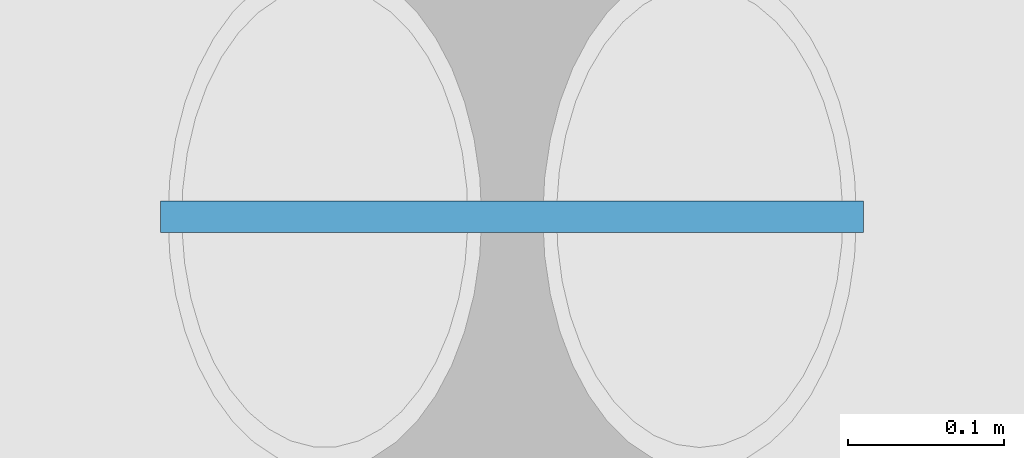
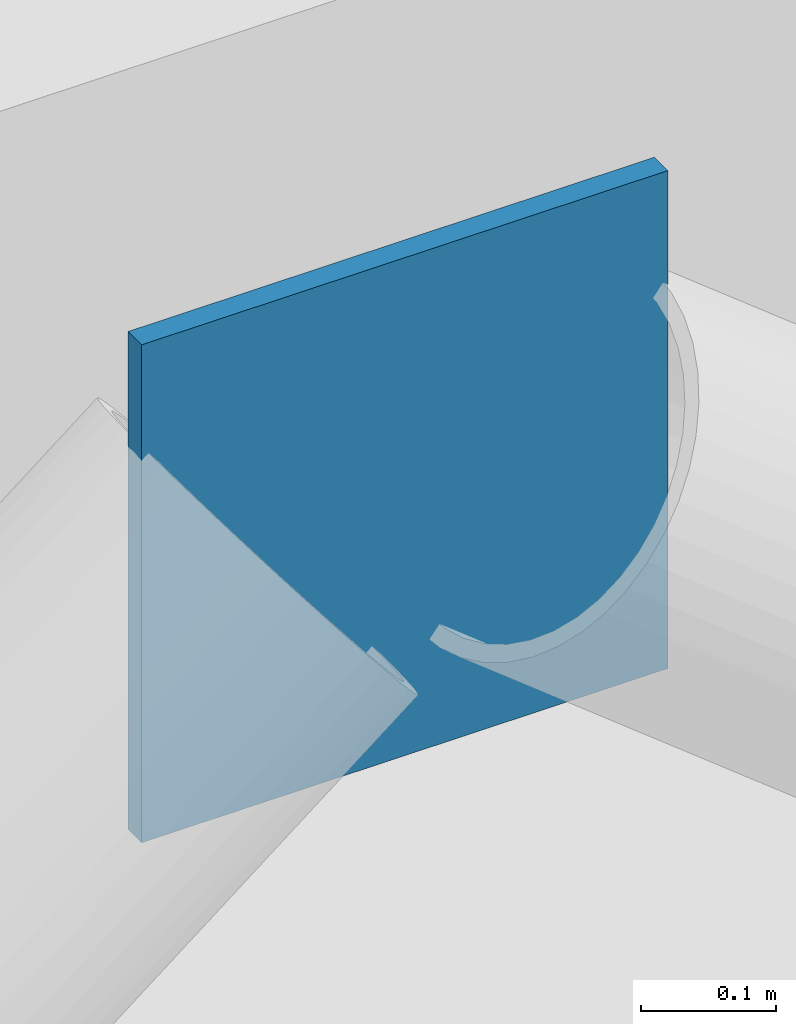
# One storey, part 68 of 92: 1 plate.
"""IFC4 building model written with IfcOpenShell, lengths in metres."""

from ifc_helpers import new_model, si_unit, direction, frame, origin, origin_2d, place, context, subcontext, project, spatial, rectangle, extrude, material, layer, layer_set, type_object, element, save


model = new_model("IFC4")

# Units and contexts
model_context = context("Model", 3, precision=1e-05, world=origin(), true_north=direction((0.0, 1.0)))
body_context = subcontext(model_context, "Body", "Model", "MODEL_VIEW")
ifc_project = project(units=[si_unit("LENGTHUNIT", "METRE"), si_unit("AREAUNIT", "SQUARE_METRE"), si_unit("VOLUMEUNIT", "CUBIC_METRE"), si_unit("PLANEANGLEUNIT", "RADIAN"), si_unit("MASSUNIT", "GRAM", prefix="KILO")], contexts=[model_context])

# Site, building, storey
site_placement = place(None, origin())
site = spatial("IfcSite", under=ifc_project, at=site_placement, CompositionType="ELEMENT")
building_placement = place(site_placement, origin())
building = spatial("IfcBuilding", under=site, at=building_placement, Name="Tasgan Crest Museum", CompositionType="ELEMENT")
storey_placement = place(building_placement, frame((0.0, 0.0, 4.800048828125)))
storey = spatial("IfcBuildingStorey", under=building, at=storey_placement, Name="L01", CompositionType="ELEMENT", Elevation=4.800048828125)

# Plate
ifc_material = material(Name="Steel S355K2", Category="steel")
ifc_layer = layer(ifc_material, 0.02001953125, Name="PL-GUSSET-450")
ifc_layer_set = layer_set([ifc_layer], Name="Steel S355K2")
plate_type = type_object("IfcPlateType", Name="PL-GUSSET-450", PredefinedType="USERDEFINED", material=ifc_layer_set)
plate_placement = place(storey_placement, frame((124.199951171875, 62.0, 4.02490234375), z_axis=(0.0, 0.0, 1.0), x_axis=(1.0, 0.0, 0.0)))
element("IfcPlate", 1, at=plate_placement, inside=storey, type_object=plate_type, Name="Chevron gusset plate L01 G 124.2", ObjectType="GUSSET PLATE", PredefinedType="USERDEFINED", context=body_context, shape_type="SweptSolid", body=[
    extrude(rectangle(XDim=0.449951171875, YDim=0.02001953125, at=origin_2d()), origin(), (0.0, 0.0, 1.0), 0.449951171875),
])

save(model, "model.ifc")
